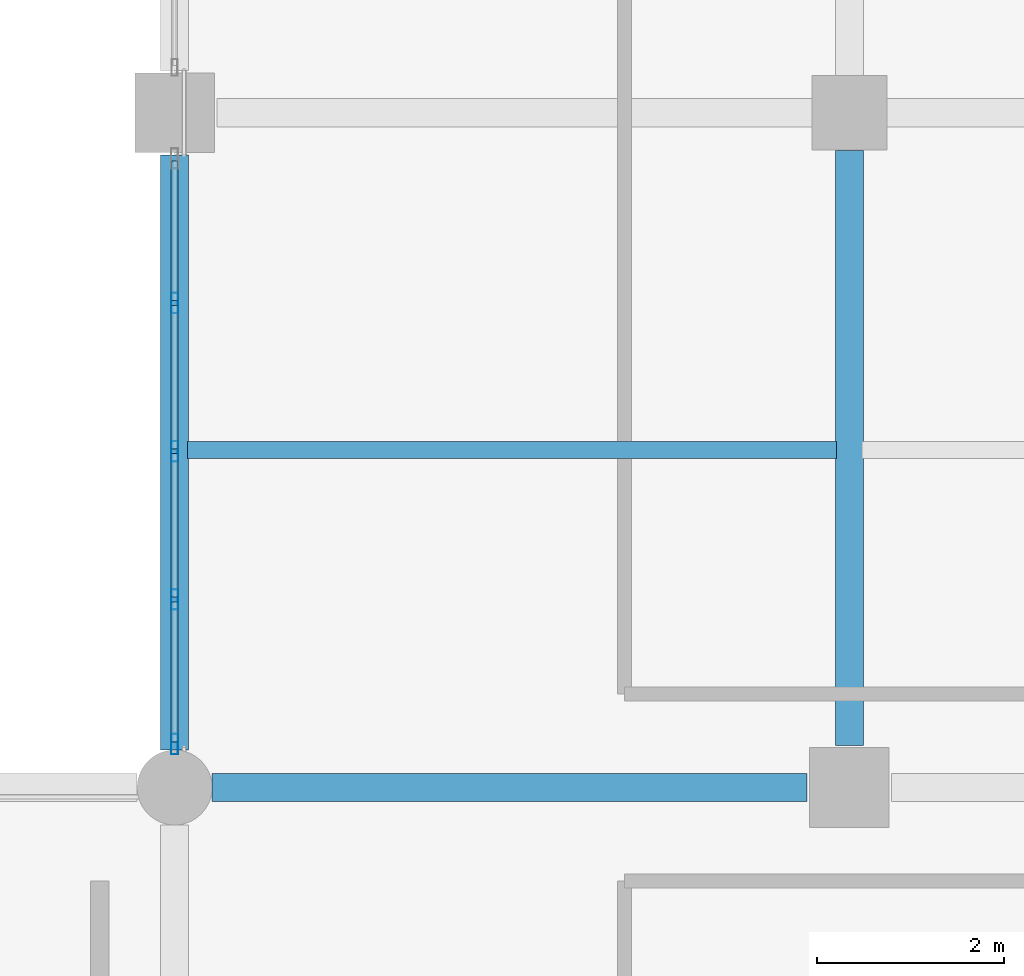
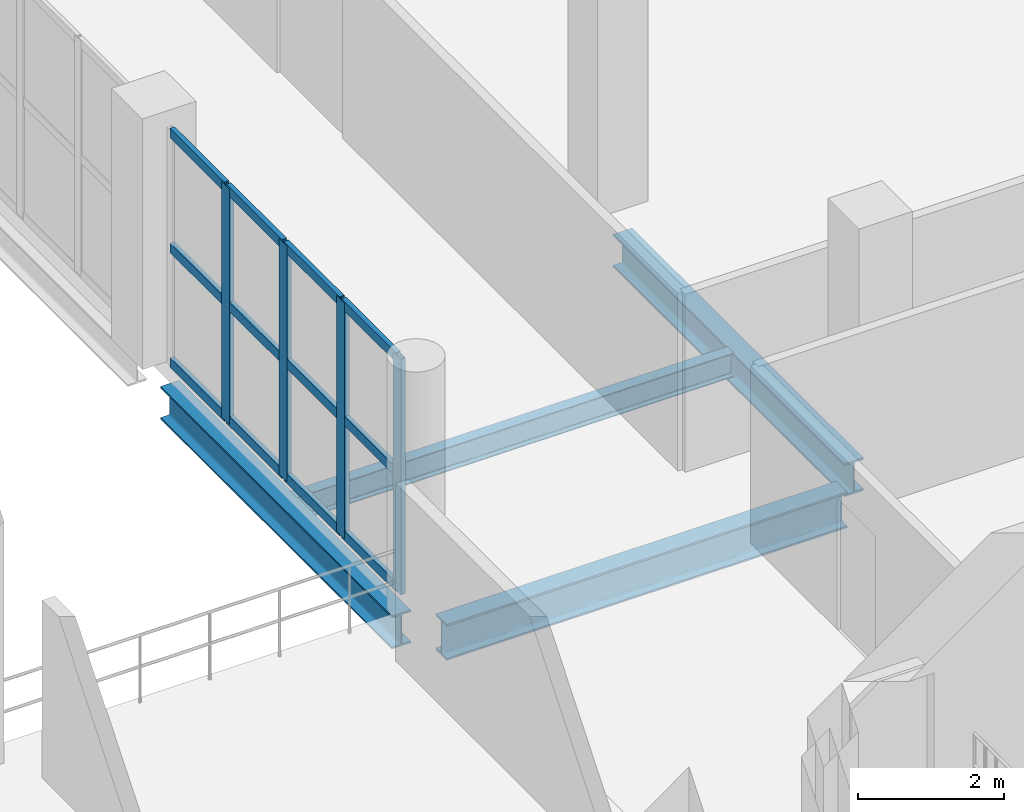
# One storey, part 73 of 153: 16 members, 4 beams, 1 element without a shape of its own.
"""IFC4 building model written with IfcOpenShell, lengths in metres."""

from ifc_helpers import new_model, si_unit, direction, frame, origin, origin_2d, place, context, subcontext, project, spatial, hollow_rectangle, i_section, extrude, material, material_profile, profile_set, type_object, element, aggregate, save


model = new_model("IFC4")

# Units and contexts
model_context = context("Model", 3, precision=1e-05, world=origin(), true_north=direction((0.0, 1.0)))
body_context = subcontext(model_context, "Body", "Model", "MODEL_VIEW")
ifc_project = project(units=[si_unit("LENGTHUNIT", "METRE"), si_unit("AREAUNIT", "SQUARE_METRE"), si_unit("VOLUMEUNIT", "CUBIC_METRE"), si_unit("PLANEANGLEUNIT", "RADIAN"), si_unit("MASSUNIT", "GRAM", prefix="KILO")], contexts=[model_context])

# Site, building, storey
site_placement = place(None, origin())
site = spatial("IfcSite", under=ifc_project, at=site_placement, CompositionType="ELEMENT")
building_placement = place(site_placement, origin())
building = spatial("IfcBuilding", under=site, at=building_placement, Name="Qandorah Velis Arena", CompositionType="ELEMENT")
storey_placement = place(building_placement, frame((0.0, 0.0, 5.39990234375)))
storey = spatial("IfcBuildingStorey", under=building, at=storey_placement, Name="L01", CompositionType="ELEMENT", Elevation=5.39990234375)

# Curtain wall, members
ifc_material_1 = material(Name="Solar-control low-E double glazing", Category="glass")
curtain_wall_type = type_object("IfcCurtainWallType", Name="ARC-CW-SYS01", PredefinedType="USERDEFINED", material=ifc_material_1)
curtain_wall_placement = place(storey_placement, origin())
curtain_wall = element("IfcCurtainWall", 1, at=curtain_wall_placement, inside=storey, type_object=curtain_wall_type, Name="Unitised curtain wall L01-121", ObjectType="UNITISED CURTAIN WALL", PredefinedType="USERDEFINED")
ifc_material_2 = material(Name="Champagne-bronze anodized aluminium 6063-T6", Category="aluminium")
ifc_material_profile_1 = material_profile(ifc_material_2, hollow_rectangle(XDim=0.074951171875, YDim=0.219970703125, WallThickness=0.00390625, at=origin_2d()), Name="ALU MULLION 75x220")
ifc_profile_set_1 = profile_set([ifc_material_profile_1], Name="Champagne-bronze anodized aluminium 6063-T6")
member_type_1 = type_object("IfcMemberType", Name="ARC-CWM-220", PredefinedType="MULLION", material=ifc_profile_set_1)
member_1_placement = place(storey_placement, frame((151.199951171875, 58.0625, -0.014892578125), z_axis=(0.0, 0.0, 1.0), x_axis=(-1.0, 0.0, 0.0)))
member_1 = element("IfcMember", 2, at=member_1_placement, type_object=member_type_1, Name="CW01 mullion 1", PredefinedType="MULLION", context=body_context, shape_type="SweptSolid", body=[
    extrude(hollow_rectangle(XDim=0.074951171875, YDim=0.219970703125, WallThickness=0.00390625, at=origin_2d()), origin(), (0.0, 0.0, 1.0), 3.949951171875),
])
member_2_placement = place(storey_placement, frame((151.199951171875, 59.606201171875, -0.014892578125), z_axis=(0.0, 0.0, 1.0), x_axis=(-1.0, 0.0, 0.0)))
member_2 = element("IfcMember", 3, at=member_2_placement, type_object=member_type_1, Name="CW01 mullion 2", PredefinedType="MULLION", context=body_context, shape_type="SweptSolid", body=[
    extrude(hollow_rectangle(XDim=0.074951171875, YDim=0.219970703125, WallThickness=0.00390625, at=origin_2d()), origin(), (0.0, 0.0, 1.0), 3.949951171875),
])
member_3_placement = place(storey_placement, frame((151.199951171875, 61.1875, -0.014892578125), z_axis=(0.0, 0.0, 1.0), x_axis=(-1.0, 0.0, 0.0)))
member_3 = element("IfcMember", 4, at=member_3_placement, type_object=member_type_1, Name="CW01 mullion 3", PredefinedType="MULLION", context=body_context, shape_type="SweptSolid", body=[
    extrude(hollow_rectangle(XDim=0.074951171875, YDim=0.219970703125, WallThickness=0.00390625, at=origin_2d()), origin(), (0.0, 0.0, 1.0), 3.949951171875),
])
member_4_placement = place(storey_placement, frame((151.199951171875, 62.768798828125, -0.014892578125), z_axis=(0.0, 0.0, 1.0), x_axis=(-1.0, 0.0, 0.0)))
member_4 = element("IfcMember", 5, at=member_4_placement, type_object=member_type_1, Name="CW01 mullion 4", PredefinedType="MULLION", context=body_context, shape_type="SweptSolid", body=[
    extrude(hollow_rectangle(XDim=0.074951171875, YDim=0.219970703125, WallThickness=0.00390625, at=origin_2d()), origin(), (0.0, 0.0, 1.0), 3.949951171875),
])
ifc_material_profile_2 = material_profile(ifc_material_2, hollow_rectangle(XDim=0.074951171875, YDim=0.159912109375, WallThickness=0.00341796875, at=origin_2d()), Name="ALU TRANSOM 75x160")
ifc_profile_set_2 = profile_set([ifc_material_profile_2], Name="Champagne-bronze anodized aluminium 6063-T6")
member_type_2 = type_object("IfcMemberType", Name="ARC-CWT-160", PredefinedType="USERDEFINED", material=ifc_profile_set_2)
member_5_placement = place(storey_placement, frame((151.199951171875, 58.087890625, 0.03759765625), z_axis=(0.0, 1.0, 0.0), x_axis=(-1.0, 0.0, 0.0)))
member_5 = element("IfcMember", 6, at=member_5_placement, type_object=member_type_2, Name="CW01 transom 1.1", ObjectType="TRANSOM", PredefinedType="USERDEFINED", context=body_context, shape_type="SweptSolid", body=[
    extrude(hollow_rectangle(XDim=0.074951171875, YDim=0.159912109375, WallThickness=0.00341796875, at=origin_2d()), origin(), (0.0, 0.0, 1.0), 1.492919921875),
])
member_6_placement = place(storey_placement, frame((151.199951171875, 58.087890625, 1.960205078125), z_axis=(0.0, 1.0, 0.0), x_axis=(-1.0, 0.0, 0.0)))
member_6 = element("IfcMember", 7, at=member_6_placement, type_object=member_type_2, Name="CW01 transom 1.2", ObjectType="TRANSOM", PredefinedType="USERDEFINED", context=body_context, shape_type="SweptSolid", body=[
    extrude(hollow_rectangle(XDim=0.074951171875, YDim=0.159912109375, WallThickness=0.00341796875, at=origin_2d()), origin(), (0.0, 0.0, 1.0), 1.492919921875),
])
member_7_placement = place(storey_placement, frame((151.199951171875, 58.087890625, 3.882568359375), z_axis=(0.0, 1.0, 0.0), x_axis=(-1.0, 0.0, 0.0)))
member_7 = element("IfcMember", 8, at=member_7_placement, type_object=member_type_2, Name="CW01 transom 1.3", ObjectType="TRANSOM", PredefinedType="USERDEFINED", context=body_context, shape_type="SweptSolid", body=[
    extrude(hollow_rectangle(XDim=0.074951171875, YDim=0.159912109375, WallThickness=0.00341796875, at=origin_2d()), origin(), (0.0, 0.0, 1.0), 1.492919921875),
])
member_8_placement = place(storey_placement, frame((151.199951171875, 59.631591796875, 0.03759765625), z_axis=(0.0, 1.0, 0.0), x_axis=(-1.0, 0.0, 0.0)))
member_8 = element("IfcMember", 9, at=member_8_placement, type_object=member_type_2, Name="CW01 transom 2.1", ObjectType="TRANSOM", PredefinedType="USERDEFINED", context=body_context, shape_type="SweptSolid", body=[
    extrude(hollow_rectangle(XDim=0.074951171875, YDim=0.159912109375, WallThickness=0.00341796875, at=origin_2d()), origin(), (0.0, 0.0, 1.0), 1.530517578125),
])
member_9_placement = place(storey_placement, frame((151.199951171875, 59.631591796875, 1.960205078125), z_axis=(0.0, 1.0, 0.0), x_axis=(-1.0, 0.0, 0.0)))
member_9 = element("IfcMember", 10, at=member_9_placement, type_object=member_type_2, Name="CW01 transom 2.2", ObjectType="TRANSOM", PredefinedType="USERDEFINED", context=body_context, shape_type="SweptSolid", body=[
    extrude(hollow_rectangle(XDim=0.074951171875, YDim=0.159912109375, WallThickness=0.00341796875, at=origin_2d()), origin(), (0.0, 0.0, 1.0), 1.530517578125),
])
member_10_placement = place(storey_placement, frame((151.199951171875, 59.631591796875, 3.882568359375), z_axis=(0.0, 1.0, 0.0), x_axis=(-1.0, 0.0, 0.0)))
member_10 = element("IfcMember", 11, at=member_10_placement, type_object=member_type_2, Name="CW01 transom 2.3", ObjectType="TRANSOM", PredefinedType="USERDEFINED", context=body_context, shape_type="SweptSolid", body=[
    extrude(hollow_rectangle(XDim=0.074951171875, YDim=0.159912109375, WallThickness=0.00341796875, at=origin_2d()), origin(), (0.0, 0.0, 1.0), 1.530517578125),
])
member_11_placement = place(storey_placement, frame((151.199951171875, 61.212890625, 0.03759765625), z_axis=(0.0, 1.0, 0.0), x_axis=(-1.0, 0.0, 0.0)))
member_11 = element("IfcMember", 12, at=member_11_placement, type_object=member_type_2, Name="CW01 transom 3.1", ObjectType="TRANSOM", PredefinedType="USERDEFINED", context=body_context, shape_type="SweptSolid", body=[
    extrude(hollow_rectangle(XDim=0.074951171875, YDim=0.159912109375, WallThickness=0.00341796875, at=origin_2d()), origin(), (0.0, 0.0, 1.0), 1.5302734375),
])
member_12_placement = place(storey_placement, frame((151.199951171875, 61.212890625, 1.960205078125), z_axis=(0.0, 1.0, 0.0), x_axis=(-1.0, 0.0, 0.0)))
member_12 = element("IfcMember", 13, at=member_12_placement, type_object=member_type_2, Name="CW01 transom 3.2", ObjectType="TRANSOM", PredefinedType="USERDEFINED", context=body_context, shape_type="SweptSolid", body=[
    extrude(hollow_rectangle(XDim=0.074951171875, YDim=0.159912109375, WallThickness=0.00341796875, at=origin_2d()), origin(), (0.0, 0.0, 1.0), 1.5302734375),
])
member_13_placement = place(storey_placement, frame((151.199951171875, 61.212890625, 3.882568359375), z_axis=(0.0, 1.0, 0.0), x_axis=(-1.0, 0.0, 0.0)))
member_13 = element("IfcMember", 14, at=member_13_placement, type_object=member_type_2, Name="CW01 transom 3.3", ObjectType="TRANSOM", PredefinedType="USERDEFINED", context=body_context, shape_type="SweptSolid", body=[
    extrude(hollow_rectangle(XDim=0.074951171875, YDim=0.159912109375, WallThickness=0.00341796875, at=origin_2d()), origin(), (0.0, 0.0, 1.0), 1.5302734375),
])
member_14_placement = place(storey_placement, frame((151.199951171875, 62.794189453125, 0.03759765625), z_axis=(0.0, 1.0, 0.0), x_axis=(-1.0, 0.0, 0.0)))
member_14 = element("IfcMember", 15, at=member_14_placement, type_object=member_type_2, Name="CW01 transom 4.1", ObjectType="TRANSOM", PredefinedType="USERDEFINED", context=body_context, shape_type="SweptSolid", body=[
    extrude(hollow_rectangle(XDim=0.074951171875, YDim=0.159912109375, WallThickness=0.00341796875, at=origin_2d()), origin(), (0.0, 0.0, 1.0), 1.492919921875),
])
member_15_placement = place(storey_placement, frame((151.199951171875, 62.794189453125, 1.960205078125), z_axis=(0.0, 1.0, 0.0), x_axis=(-1.0, 0.0, 0.0)))
member_15 = element("IfcMember", 16, at=member_15_placement, type_object=member_type_2, Name="CW01 transom 4.2", ObjectType="TRANSOM", PredefinedType="USERDEFINED", context=body_context, shape_type="SweptSolid", body=[
    extrude(hollow_rectangle(XDim=0.074951171875, YDim=0.159912109375, WallThickness=0.00341796875, at=origin_2d()), origin(), (0.0, 0.0, 1.0), 1.492919921875),
])
member_16_placement = place(storey_placement, frame((151.199951171875, 62.794189453125, 3.882568359375), z_axis=(0.0, 1.0, 0.0), x_axis=(-1.0, 0.0, 0.0)))
member_16 = element("IfcMember", 17, at=member_16_placement, type_object=member_type_2, Name="CW01 transom 4.3", ObjectType="TRANSOM", PredefinedType="USERDEFINED", context=body_context, shape_type="SweptSolid", body=[
    extrude(hollow_rectangle(XDim=0.074951171875, YDim=0.159912109375, WallThickness=0.00341796875, at=origin_2d()), origin(), (0.0, 0.0, 1.0), 1.492919921875),
])
aggregate(curtain_wall, [member_1, member_2, member_3, member_4, member_5, member_6, member_7, member_8, member_9, member_10, member_11, member_12, member_13, member_14, member_15, member_16])

# Beams
ifc_material_3 = material(Name="Steel S355", Category="steel")
ifc_material_profile_3 = material_profile(ifc_material_3, i_section(OverallWidth=0.300048828125, OverallDepth=0.550048828125, WebThickness=0.014892578125, FlangeThickness=0.029052734375, FilletRadius=0.027099609375, at=origin_2d()), Name="HEB 550")
ifc_profile_set_3 = profile_set([ifc_material_profile_3], Name="Steel S355")
beam_type_1 = type_object("IfcBeamType", Name="STR-BM-HEB550", PredefinedType="BEAM", material=ifc_profile_set_3)
beam_1_placement = place(storey_placement, frame((151.199951171875, 58.0, -0.635009765625), z_axis=(0.0, 1.0, 0.0), x_axis=(-1.0, 0.0, 0.0)))
element("IfcBeam", 18, at=beam_1_placement, inside=storey, type_object=beam_type_1, Name="Primary floor girder L01 Y-409", PredefinedType="BEAM", context=body_context, shape_type="SweptSolid", body=[
    extrude(i_section(OverallWidth=0.300048828125, OverallDepth=0.550048828125, WebThickness=0.014892578125, FlangeThickness=0.029052734375, FilletRadius=0.027099609375, at=origin_2d()), origin(), (0.0, 0.0, 1.0), 6.35009765625),
])
beam_2_placement = place(storey_placement, frame((158.39990234375, 58.050048828125, -0.635009765625), z_axis=(0.0, 1.0, 0.0), x_axis=(-1.0, 0.0, 0.0)))
element("IfcBeam", 19, at=beam_2_placement, inside=storey, type_object=beam_type_1, Name="Primary floor girder L01 Y-413", PredefinedType="BEAM", context=body_context, shape_type="SweptSolid", body=[
    extrude(i_section(OverallWidth=0.300048828125, OverallDepth=0.550048828125, WebThickness=0.014892578125, FlangeThickness=0.029052734375, FilletRadius=0.027099609375, at=origin_2d()), origin(), (0.0, 0.0, 1.0), 6.349853515625),
])
ifc_material_profile_4 = material_profile(ifc_material_3, i_section(OverallWidth=0.300048828125, OverallDepth=0.60009765625, WebThickness=0.015380859375, FlangeThickness=0.030029296875, FilletRadius=0.027099609375, at=origin_2d()), Name="HEB 600")
ifc_profile_set_4 = profile_set([ifc_material_profile_4], Name="Steel S355")
beam_type_2 = type_object("IfcBeamType", Name="STR-BM-HEB600", PredefinedType="BEAM", material=ifc_profile_set_4)
beam_3_placement = place(storey_placement, frame((151.60009765625, 57.60009765625, -0.659912109375), z_axis=(1.0, 0.0, 0.0), x_axis=(0.0, 1.0, 0.0)))
element("IfcBeam", 20, at=beam_3_placement, inside=storey, type_object=beam_type_2, Name="Primary floor girder L01 X-106", PredefinedType="BEAM", context=body_context, shape_type="SweptSolid", body=[
    extrude(i_section(OverallWidth=0.300048828125, OverallDepth=0.60009765625, WebThickness=0.015380859375, FlangeThickness=0.030029296875, FilletRadius=0.027099609375, at=origin_2d()), origin(), (0.0, 0.0, 1.0), 6.349853515625),
])
ifc_material_profile_5 = material_profile(ifc_material_3, i_section(OverallWidth=0.179931640625, OverallDepth=0.39990234375, WebThickness=0.008544921875, FlangeThickness=0.013427734375, FilletRadius=0.02099609375, at=origin_2d()), Name="IPE 400")
ifc_profile_set_5 = profile_set([ifc_material_profile_5], Name="Steel S355")
beam_type_3 = type_object("IfcBeamType", Name="STR-JST-IPE400", PredefinedType="JOIST", material=ifc_profile_set_5)
beam_4_placement = place(storey_placement, frame((151.3349609375, 61.199951171875, -0.559814453125), z_axis=(1.0, 0.0, 0.0), x_axis=(0.0, 1.0, 0.0)))
element("IfcBeam", 21, at=beam_4_placement, inside=storey, type_object=beam_type_3, Name="Secondary floor joist L01-146", PredefinedType="JOIST", context=body_context, shape_type="SweptSolid", body=[
    extrude(i_section(OverallWidth=0.179931640625, OverallDepth=0.39990234375, WebThickness=0.008544921875, FlangeThickness=0.013427734375, FilletRadius=0.02099609375, at=origin_2d()), origin(), (0.0, 0.0, 1.0), 6.929931640625),
])

save(model, "model.ifc")
